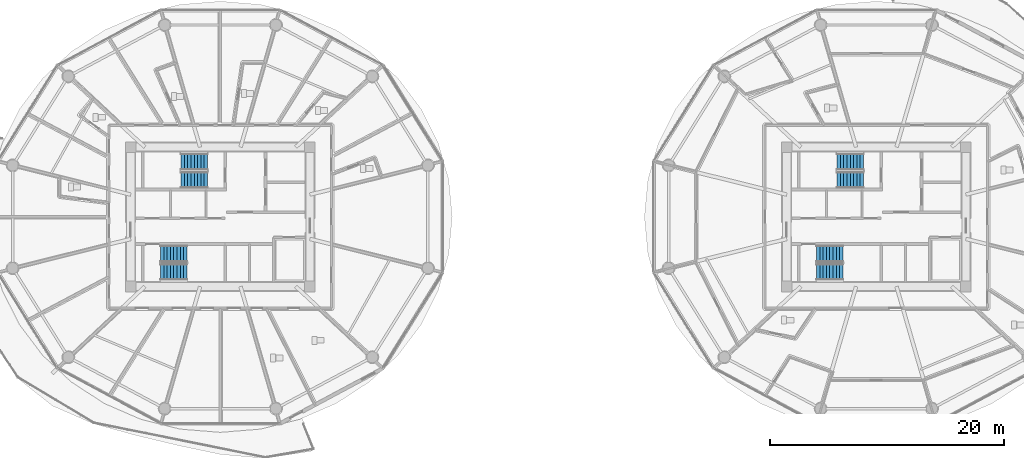
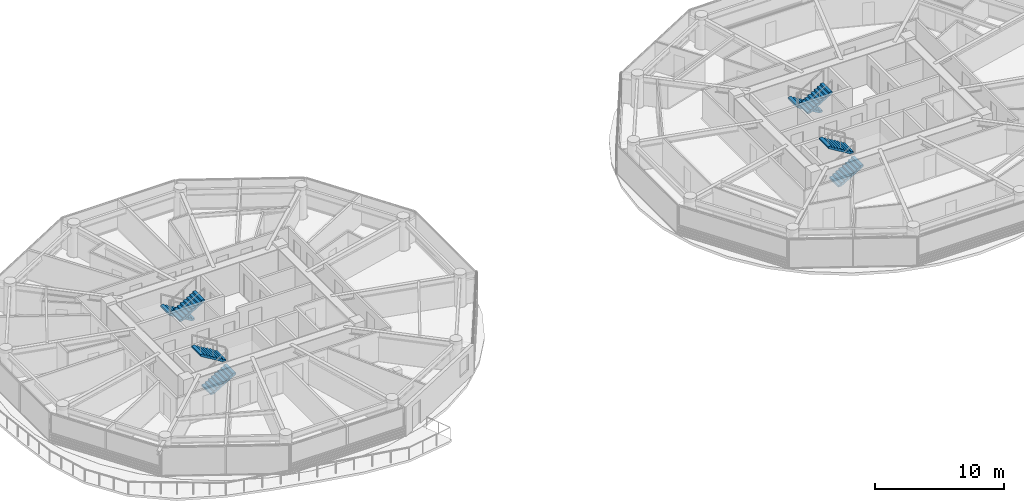
# One storey, part 21 of 31: 8 stair flights, 4 elements without a shape of their own.
"""IFC4 building model written with IfcOpenShell, lengths in metres."""

from ifc_helpers import new_model, si_unit, direction, frame, origin, place, context, subcontext, project, spatial, polyline, outline, extrude, material, type_object, element, aggregate, save


model = new_model("IFC4")

# Units and contexts
model_context = context("Model", 3, precision=1e-05, world=origin(), true_north=direction((0.0, 1.0)))
body_context = subcontext(model_context, "Body", "Model", "MODEL_VIEW")
ifc_project = project(units=[si_unit("LENGTHUNIT", "METRE"), si_unit("AREAUNIT", "SQUARE_METRE"), si_unit("VOLUMEUNIT", "CUBIC_METRE"), si_unit("PLANEANGLEUNIT", "RADIAN"), si_unit("MASSUNIT", "GRAM", prefix="KILO")], contexts=[model_context])

# Site, building, storey
site_placement = place(None, origin())
site = spatial("IfcSite", under=ifc_project, at=site_placement, CompositionType="ELEMENT")
building_placement = place(site_placement, origin())
building = spatial("IfcBuilding", under=site, at=building_placement, Name="Norrkilde Senior Care Towers", CompositionType="ELEMENT")
storey_placement = place(building_placement, frame((0.0, 0.0, 42.949951171875)))
storey = spatial("IfcBuildingStorey", under=building, at=storey_placement, Name="L12", CompositionType="ELEMENT", Elevation=42.949951171875)

# Stair, stair flights
ifc_material = material(Name="Concrete C45/55", Category="concrete")
stair_type = type_object("IfcStairType", Name="Core Protected Dogleg Stair Typical 3050", PredefinedType="HALF_TURN_STAIR", material=ifc_material)
stair_1_placement = place(storey_placement, origin())
stair_1 = element("IfcStair", 1, at=stair_1_placement, inside=storey, type_object=stair_type, Name="L12 Protected Core Stair W1", PredefinedType="HALF_TURN_STAIR")
stair_flight_type = type_object("IfcStairFlightType", Name="Core Protected Dogleg Stair Typical 3050 Flight", PredefinedType="STRAIGHT", material=ifc_material)
stair_flight_1_placement = place(storey_placement, frame((-29.10009765625, 4.699951171875, 0.0), z_axis=(0.0, 0.0, 1.0), x_axis=(-1.0, 0.0, 0.0)))
stair_flight_1 = element("IfcStairFlight", 2, at=stair_flight_1_placement, type_object=stair_flight_type, Name="ST-W1 flight 1", NumberOfRisers=9, NumberOfTreads=8, PredefinedType="STRAIGHT", RiserHeight=0.169444444, TreadLength=0.28, context=body_context, shape_type="SweptSolid", body=[
    extrude(outline(polyline([(0.0, 0.0), (0.0, 0.16943359375), (0.280029296875, 0.16943359375), (0.280029296875, 0.3388671875), (0.56005859375, 0.3388671875), (0.56005859375, 0.50830078125), (0.840087890625, 0.50830078125), (0.840087890625, 0.677734375), (1.1201171875, 0.677734375), (1.1201171875, 0.84716796875), (1.39990234375, 0.84716796875), (1.39990234375, 1.0166015625), (1.679931640625, 1.0166015625), (1.679931640625, 1.18603515625), (1.9599609375, 1.18603515625), (1.9599609375, 1.35546875), (2.239990234375, 1.35546875), (2.239990234375, 1.52490234375), (2.239990234375, 1.180419921875), (0.28955078125, 0.0), (0.0, 0.0)])), frame((0.0, 0.699951171875, 0.0), z_axis=(0.0, -1.0, 0.0), x_axis=(1.0, 0.0, 0.0)), (0.0, 0.0, 1.0), 1.39990234375),
])
stair_flight_2_placement = place(storey_placement, frame((-31.340087890625, 3.14990234375, 1.525146484375), z_axis=(0.0, 0.0, 1.0), x_axis=(1.0, 0.0, 0.0)))
stair_flight_2 = element("IfcStairFlight", 3, at=stair_flight_2_placement, type_object=stair_flight_type, Name="ST-W1 flight 2", NumberOfRisers=9, NumberOfTreads=8, PredefinedType="STRAIGHT", RiserHeight=0.169444444, TreadLength=0.28, context=body_context, shape_type="SweptSolid", body=[
    extrude(outline(polyline([(0.0, 0.0), (0.0, 0.16943359375), (0.280029296875, 0.16943359375), (0.280029296875, 0.3388671875), (0.56005859375, 0.3388671875), (0.56005859375, 0.50830078125), (0.840087890625, 0.50830078125), (0.840087890625, 0.677734375), (1.1201171875, 0.677734375), (1.1201171875, 0.84716796875), (1.39990234375, 0.84716796875), (1.39990234375, 1.0166015625), (1.679931640625, 1.0166015625), (1.679931640625, 1.18603515625), (1.9599609375, 1.18603515625), (1.9599609375, 1.35546875), (2.239990234375, 1.35546875), (2.239990234375, 1.52490234375), (2.239990234375, 1.180419921875), (0.28955078125, 0.0), (0.0, 0.0)])), frame((0.0, 0.699951171875, 0.0), z_axis=(0.0, -1.0, 0.0), x_axis=(1.0, 0.0, 0.0)), (0.0, 0.0, 1.0), 1.39990234375),
])
aggregate(stair_1, [stair_flight_1, stair_flight_2])

stair_2_placement = place(storey_placement, origin())
stair_2 = element("IfcStair", 4, at=stair_2_placement, inside=storey, type_object=stair_type, Name="L12 Protected Core Stair W2", PredefinedType="HALF_TURN_STAIR")
stair_flight_3_placement = place(storey_placement, frame((-33.10009765625, -4.699951171875, 0.0), z_axis=(0.0, 0.0, 1.0), x_axis=(1.0, 0.0, 0.0)))
stair_flight_3 = element("IfcStairFlight", 5, at=stair_flight_3_placement, type_object=stair_flight_type, Name="ST-W2 flight 1", NumberOfRisers=9, NumberOfTreads=8, PredefinedType="STRAIGHT", RiserHeight=0.169444444, TreadLength=0.28, context=body_context, shape_type="SweptSolid", body=[
    extrude(outline(polyline([(0.0, 0.0), (0.0, 0.16943359375), (0.280029296875, 0.16943359375), (0.280029296875, 0.3388671875), (0.56005859375, 0.3388671875), (0.56005859375, 0.50830078125), (0.840087890625, 0.50830078125), (0.840087890625, 0.677734375), (1.1201171875, 0.677734375), (1.1201171875, 0.84716796875), (1.39990234375, 0.84716796875), (1.39990234375, 1.0166015625), (1.679931640625, 1.0166015625), (1.679931640625, 1.18603515625), (1.9599609375, 1.18603515625), (1.9599609375, 1.35546875), (2.239990234375, 1.35546875), (2.239990234375, 1.52490234375), (2.239990234375, 1.180419921875), (0.28955078125, 0.0), (0.0, 0.0)])), frame((0.0, 0.699951171875, 0.0), z_axis=(0.0, -1.0, 0.0), x_axis=(1.0, 0.0, 0.0)), (0.0, 0.0, 1.0), 1.39990234375),
])
stair_flight_4_placement = place(storey_placement, frame((-30.860107421875, -3.14990234375, 1.525146484375), z_axis=(0.0, 0.0, 1.0), x_axis=(-1.0, 0.0, 0.0)))
stair_flight_4 = element("IfcStairFlight", 6, at=stair_flight_4_placement, type_object=stair_flight_type, Name="ST-W2 flight 2", NumberOfRisers=9, NumberOfTreads=8, PredefinedType="STRAIGHT", RiserHeight=0.169444444, TreadLength=0.28, context=body_context, shape_type="SweptSolid", body=[
    extrude(outline(polyline([(0.0, 0.0), (0.0, 0.16943359375), (0.280029296875, 0.16943359375), (0.280029296875, 0.3388671875), (0.56005859375, 0.3388671875), (0.56005859375, 0.50830078125), (0.840087890625, 0.50830078125), (0.840087890625, 0.677734375), (1.1201171875, 0.677734375), (1.1201171875, 0.84716796875), (1.39990234375, 0.84716796875), (1.39990234375, 1.0166015625), (1.679931640625, 1.0166015625), (1.679931640625, 1.18603515625), (1.9599609375, 1.18603515625), (1.9599609375, 1.35546875), (2.239990234375, 1.35546875), (2.239990234375, 1.52490234375), (2.239990234375, 1.180419921875), (0.28955078125, 0.0), (0.0, 0.0)])), frame((0.0, 0.699951171875, 0.0), z_axis=(0.0, -1.0, 0.0), x_axis=(1.0, 0.0, 0.0)), (0.0, 0.0, 1.0), 1.39990234375),
])
aggregate(stair_2, [stair_flight_3, stair_flight_4])

stair_3_placement = place(storey_placement, origin())
stair_3 = element("IfcStair", 7, at=stair_3_placement, inside=storey, type_object=stair_type, Name="L12 Protected Core Stair E1", PredefinedType="HALF_TURN_STAIR")
stair_flight_5_placement = place(storey_placement, frame((26.89990234375, 4.699951171875, 0.0), z_axis=(0.0, 0.0, 1.0), x_axis=(-1.0, 0.0, 0.0)))
stair_flight_5 = element("IfcStairFlight", 8, at=stair_flight_5_placement, type_object=stair_flight_type, Name="ST-E1 flight 1", NumberOfRisers=9, NumberOfTreads=8, PredefinedType="STRAIGHT", RiserHeight=0.169444444, TreadLength=0.28, context=body_context, shape_type="SweptSolid", body=[
    extrude(outline(polyline([(0.0, 0.0), (0.0, 0.16943359375), (0.280029296875, 0.16943359375), (0.280029296875, 0.3388671875), (0.56005859375, 0.3388671875), (0.56005859375, 0.50830078125), (0.840087890625, 0.50830078125), (0.840087890625, 0.677734375), (1.1201171875, 0.677734375), (1.1201171875, 0.84716796875), (1.39990234375, 0.84716796875), (1.39990234375, 1.0166015625), (1.679931640625, 1.0166015625), (1.679931640625, 1.18603515625), (1.9599609375, 1.18603515625), (1.9599609375, 1.35546875), (2.239990234375, 1.35546875), (2.239990234375, 1.52490234375), (2.239990234375, 1.180419921875), (0.28955078125, 0.0), (0.0, 0.0)])), frame((0.0, 0.699951171875, 0.0), z_axis=(0.0, -1.0, 0.0), x_axis=(1.0, 0.0, 0.0)), (0.0, 0.0, 1.0), 1.39990234375),
])
stair_flight_6_placement = place(storey_placement, frame((24.659912109375, 3.14990234375, 1.525146484375), z_axis=(0.0, 0.0, 1.0), x_axis=(1.0, 0.0, 0.0)))
stair_flight_6 = element("IfcStairFlight", 9, at=stair_flight_6_placement, type_object=stair_flight_type, Name="ST-E1 flight 2", NumberOfRisers=9, NumberOfTreads=8, PredefinedType="STRAIGHT", RiserHeight=0.169444444, TreadLength=0.28, context=body_context, shape_type="SweptSolid", body=[
    extrude(outline(polyline([(0.0, 0.0), (0.0, 0.16943359375), (0.280029296875, 0.16943359375), (0.280029296875, 0.3388671875), (0.56005859375, 0.3388671875), (0.56005859375, 0.50830078125), (0.840087890625, 0.50830078125), (0.840087890625, 0.677734375), (1.1201171875, 0.677734375), (1.1201171875, 0.84716796875), (1.39990234375, 0.84716796875), (1.39990234375, 1.0166015625), (1.679931640625, 1.0166015625), (1.679931640625, 1.18603515625), (1.9599609375, 1.18603515625), (1.9599609375, 1.35546875), (2.239990234375, 1.35546875), (2.239990234375, 1.52490234375), (2.239990234375, 1.180419921875), (0.28955078125, 0.0), (0.0, 0.0)])), frame((0.0, 0.699951171875, 0.0), z_axis=(0.0, -1.0, 0.0), x_axis=(1.0, 0.0, 0.0)), (0.0, 0.0, 1.0), 1.39990234375),
])
aggregate(stair_3, [stair_flight_5, stair_flight_6])

stair_4_placement = place(storey_placement, origin())
stair_4 = element("IfcStair", 10, at=stair_4_placement, inside=storey, type_object=stair_type, Name="L12 Protected Core Stair E2", PredefinedType="HALF_TURN_STAIR")
stair_flight_7_placement = place(storey_placement, frame((22.89990234375, -4.699951171875, 0.0), z_axis=(0.0, 0.0, 1.0), x_axis=(1.0, 0.0, 0.0)))
stair_flight_7 = element("IfcStairFlight", 11, at=stair_flight_7_placement, type_object=stair_flight_type, Name="ST-E2 flight 1", NumberOfRisers=9, NumberOfTreads=8, PredefinedType="STRAIGHT", RiserHeight=0.169444444, TreadLength=0.28, context=body_context, shape_type="SweptSolid", body=[
    extrude(outline(polyline([(0.0, 0.0), (0.0, 0.16943359375), (0.280029296875, 0.16943359375), (0.280029296875, 0.3388671875), (0.56005859375, 0.3388671875), (0.56005859375, 0.50830078125), (0.840087890625, 0.50830078125), (0.840087890625, 0.677734375), (1.1201171875, 0.677734375), (1.1201171875, 0.84716796875), (1.39990234375, 0.84716796875), (1.39990234375, 1.0166015625), (1.679931640625, 1.0166015625), (1.679931640625, 1.18603515625), (1.9599609375, 1.18603515625), (1.9599609375, 1.35546875), (2.239990234375, 1.35546875), (2.239990234375, 1.52490234375), (2.239990234375, 1.180419921875), (0.28955078125, 0.0), (0.0, 0.0)])), frame((0.0, 0.699951171875, 0.0), z_axis=(0.0, -1.0, 0.0), x_axis=(1.0, 0.0, 0.0)), (0.0, 0.0, 1.0), 1.39990234375),
])
stair_flight_8_placement = place(storey_placement, frame((25.139892578125, -3.14990234375, 1.525146484375), z_axis=(0.0, 0.0, 1.0), x_axis=(-1.0, 0.0, 0.0)))
stair_flight_8 = element("IfcStairFlight", 12, at=stair_flight_8_placement, type_object=stair_flight_type, Name="ST-E2 flight 2", NumberOfRisers=9, NumberOfTreads=8, PredefinedType="STRAIGHT", RiserHeight=0.169444444, TreadLength=0.28, context=body_context, shape_type="SweptSolid", body=[
    extrude(outline(polyline([(0.0, 0.0), (0.0, 0.16943359375), (0.280029296875, 0.16943359375), (0.280029296875, 0.3388671875), (0.56005859375, 0.3388671875), (0.56005859375, 0.50830078125), (0.840087890625, 0.50830078125), (0.840087890625, 0.677734375), (1.1201171875, 0.677734375), (1.1201171875, 0.84716796875), (1.39990234375, 0.84716796875), (1.39990234375, 1.0166015625), (1.679931640625, 1.0166015625), (1.679931640625, 1.18603515625), (1.9599609375, 1.18603515625), (1.9599609375, 1.35546875), (2.239990234375, 1.35546875), (2.239990234375, 1.52490234375), (2.239990234375, 1.180419921875), (0.28955078125, 0.0), (0.0, 0.0)])), frame((0.0, 0.699951171875, 0.0), z_axis=(0.0, -1.0, 0.0), x_axis=(1.0, 0.0, 0.0)), (0.0, 0.0, 1.0), 1.39990234375),
])
aggregate(stair_4, [stair_flight_7, stair_flight_8])

save(model, "model.ifc")
